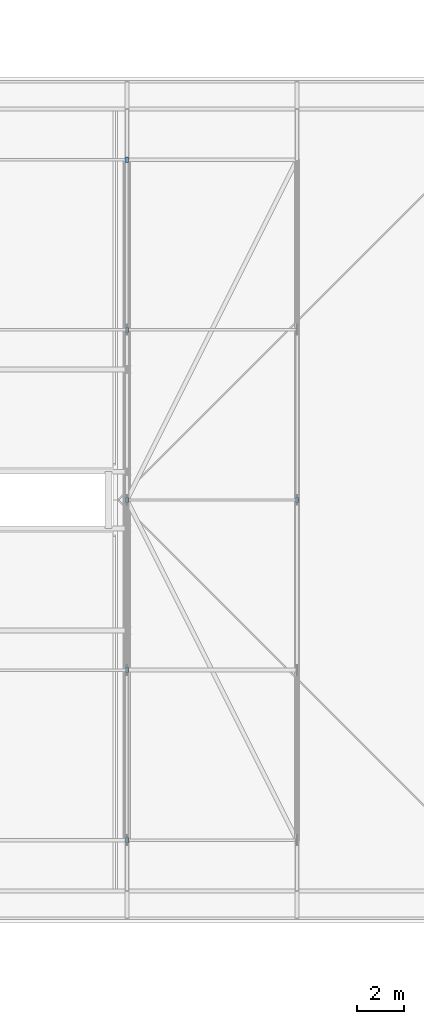
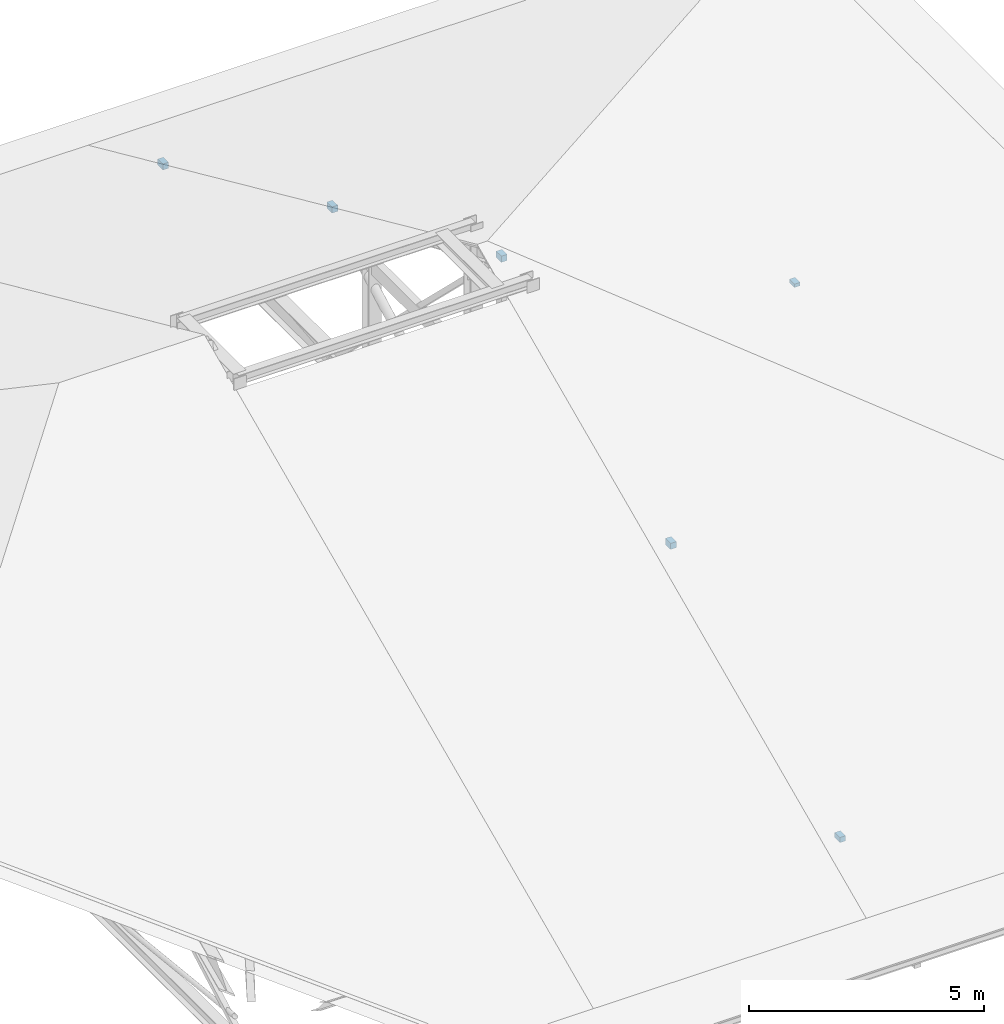
# One storey, part 47 of 100: 6 members.
"""IFC4 building model written with IfcOpenShell, lengths in metres."""

from ifc_helpers import new_model, si_unit, direction, frame, origin, origin_2d, place, context, subcontext, project, spatial, rectangle, extrude, material, material_profile, profile_set, type_object, element, save


model = new_model("IFC4")

# Units and contexts
model_context = context("Model", 3, precision=1e-05, world=origin(), true_north=direction((0.0, 1.0)))
body_context = subcontext(model_context, "Body", "Model", "MODEL_VIEW")
ifc_project = project(units=[si_unit("LENGTHUNIT", "METRE"), si_unit("AREAUNIT", "SQUARE_METRE"), si_unit("VOLUMEUNIT", "CUBIC_METRE"), si_unit("PLANEANGLEUNIT", "RADIAN"), si_unit("MASSUNIT", "GRAM", prefix="KILO")], contexts=[model_context])

# Site, building, storey
site_placement = place(None, origin())
site = spatial("IfcSite", under=ifc_project, at=site_placement, CompositionType="ELEMENT")
building_placement = place(site_placement, origin())
building = spatial("IfcBuilding", under=site, at=building_placement, Name="Steenspoor Specialist Clinic", CompositionType="ELEMENT")
storey_placement = place(building_placement, frame((0.0, 0.0, 9.0)))
storey = spatial("IfcBuildingStorey", under=building, at=storey_placement, Name="L02", CompositionType="ELEMENT", Elevation=9.0)

# Members
ifc_material = material(Name="Glulam GL28h", Category="wood")
ifc_material_profile = material_profile(ifc_material, rectangle(XDim=0.139892578125, YDim=0.219970703125, at=origin_2d()), Name="GL28H-140X220")
ifc_profile_set = profile_set([ifc_material_profile], Name="Glulam GL28h")
member_type = type_object("IfcMemberType", Name="MEM-RAFTER-GL220", PredefinedType="RAFTER", material=ifc_profile_set)
member_1_placement = place(storey_placement, frame((146.800048828125, 13.050048828125, 0.921142578125), z_axis=(0.0, 0.0, 1.0), x_axis=(1.0, 0.0, 0.0)))
element("IfcMember", 1, at=member_1_placement, inside=storey, type_object=member_type, Name="ROOF TRUSS Purlin Pack 132B", PredefinedType="RAFTER", context=body_context, shape_type="SweptSolid", body=[
    extrude(rectangle(XDim=0.139892578125, YDim=0.219970703125, at=origin_2d()), origin(), (0.0, 0.0, 1.0), 0.135009765625),
])
for number, where, z_axis, x_axis, name in (
    (2, (146.800048828125, 20.25, 4.168212890625), (0.0, 0.0, 1.0), (1.0, 0.0, 0.0), "ROOF TRUSS Purlin Pack 133B"),
    (3, (146.800048828125, 34.64990234375, 4.168212890625), (0.0, 0.0, 1.0), (1.0, 0.0, 0.0), "ROOF TRUSS Purlin Pack 134B"),
):
    element("IfcMember", number, at=place(storey_placement, frame(where, z_axis=z_axis, x_axis=x_axis)), inside=storey, type_object=member_type, Name=name, PredefinedType="RAFTER", context=body_context, shape_type="SweptSolid", body=[
        extrude(rectangle(XDim=0.139892578125, YDim=0.219970703125, at=origin_2d()), origin(), (0.0, 0.0, 1.0), 0.1591796875),
    ])
member_2_placement = place(storey_placement, frame((146.800048828125, 41.85009765625, 0.921142578125), z_axis=(0.0, 0.0, 1.0), x_axis=(1.0, 0.0, 0.0)))
element("IfcMember", 4, at=member_2_placement, inside=storey, type_object=member_type, Name="ROOF TRUSS Purlin Pack 135B", PredefinedType="RAFTER", context=body_context, shape_type="SweptSolid", body=[
    extrude(rectangle(XDim=0.139892578125, YDim=0.219970703125, at=origin_2d()), origin(), (0.0, 0.0, 1.0), 0.155517578125),
])
member_3_placement = place(storey_placement, frame((146.800048828125, 27.449951171875, 7.257080078125), z_axis=(0.0, 0.0, 1.0), x_axis=(1.0, 0.0, 0.0)))
element("IfcMember", 5, at=member_3_placement, inside=storey, type_object=member_type, Name="ROOF TRUSS Purlin Pack 138A", PredefinedType="RAFTER", context=body_context, shape_type="SweptSolid", body=[
    extrude(rectangle(XDim=0.139892578125, YDim=0.219970703125, at=origin_2d()), origin(), (0.0, 0.0, 1.0), 0.159423828125),
])
member_4_placement = place(storey_placement, frame((154.0, 27.449951171875, 4.0830078125), z_axis=(0.0, 0.0, 1.0), x_axis=(1.0, 0.0, 0.0)))
element("IfcMember", 6, at=member_4_placement, inside=storey, type_object=member_type, Name="ROOF TRUSS Purlin Pack 138B", PredefinedType="RAFTER", context=body_context, shape_type="SweptSolid", body=[
    extrude(rectangle(XDim=0.139892578125, YDim=0.219970703125, at=origin_2d()), origin(), (0.0, 0.0, 1.0), 0.08642578125),
])

save(model, "model.ifc")
